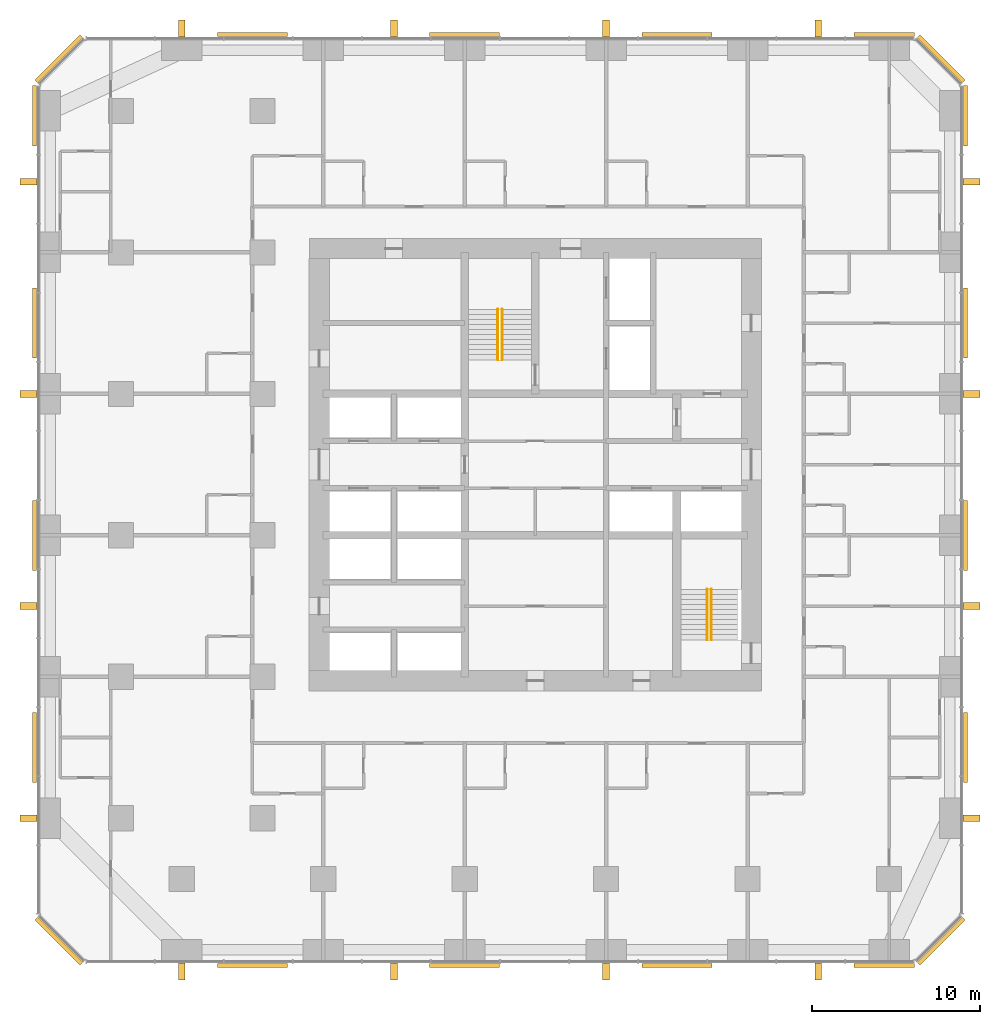
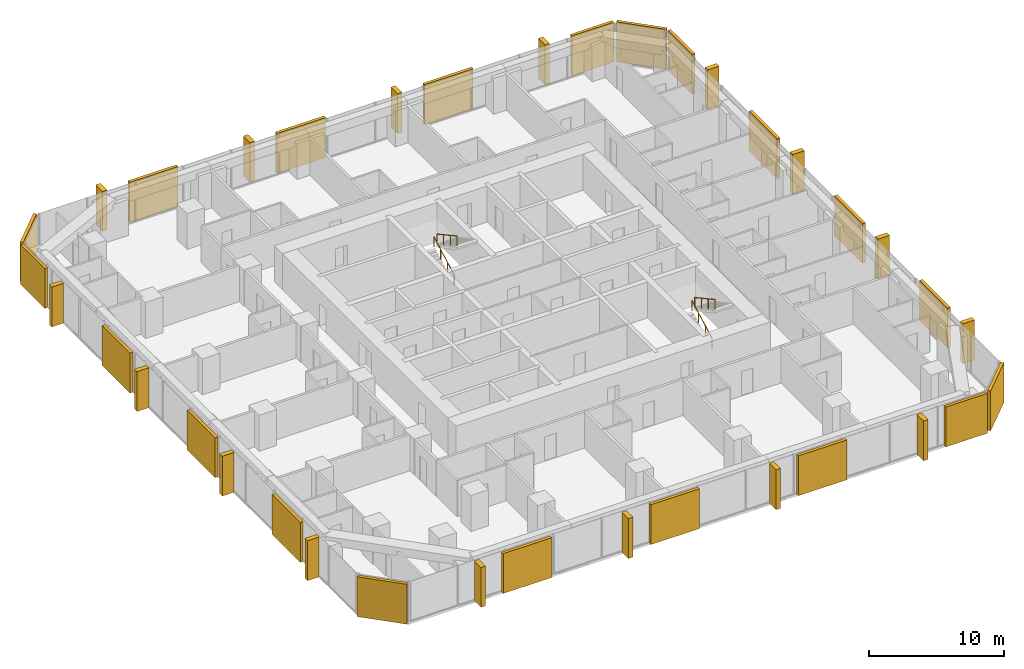
# One storey, part 13 of 13: 20 coverings, 16 shading devices, 4 railings.
"""IFC4 building model written with IfcOpenShell, lengths in metres."""

from ifc_helpers import new_model, si_unit, direction, frame, origin, origin_2d, place, context, subcontext, project, spatial, rectangle, circle, extrude, material, layer, layer_set, type_object, element, save


model = new_model("IFC4")

# Units and contexts
model_context = context("Model", 3, precision=1e-05, world=origin(), true_north=direction((0.0, 1.0)))
body_context = subcontext(model_context, "Body", "Model", "MODEL_VIEW")
ifc_project = project(units=[si_unit("LENGTHUNIT", "METRE"), si_unit("AREAUNIT", "SQUARE_METRE"), si_unit("VOLUMEUNIT", "CUBIC_METRE"), si_unit("PLANEANGLEUNIT", "RADIAN"), si_unit("MASSUNIT", "GRAM", prefix="KILO")], contexts=[model_context])

# Site, building, storey
site_placement = place(None, origin())
site = spatial("IfcSite", under=ifc_project, at=site_placement, CompositionType="ELEMENT")
building_placement = place(site_placement, origin())
building = spatial("IfcBuilding", under=site, at=building_placement, Name="Dunama Terrace Hotel", CompositionType="ELEMENT")
storey_placement = place(building_placement, frame((0.0, 0.0, 111.60009765625)))
storey = spatial("IfcBuildingStorey", under=building, at=storey_placement, Name="L28", CompositionType="ELEMENT", Elevation=111.60009765625)

# Railings
ifc_material_1 = material(Name="Stainless steel handrail", Category="steel")
railing_type = type_object("IfcRailingType", Name="Stair handrail 900", PredefinedType="HANDRAIL", material=ifc_material_1)
railing_1_placement = place(storey_placement, frame((27.175048828125, 35.625, 0.16357421875)))
element("IfcRailing", 1, at=railing_1_placement, inside=storey, type_object=railing_type, Name="Handrail ST1 L28", PredefinedType="HANDRAIL", context=body_context, shape_type="SweptSolid", body=[
    extrude(circle(Radius=0.02392578125, at=origin_2d()), frame((0.0, 0.0, 0.8759765625), z_axis=(0.0, 0.877911954615, 0.47882209634), x_axis=(-1.0, 0.0, 0.0)), (0.0, 0.0, 1.0), 3.417236328125),
    extrude(circle(Radius=0.02099609375, at=origin_2d()), origin(), (0.0, 0.0, 1.0), 0.851806640625),
    extrude(circle(Radius=0.02099609375, at=origin_2d()), frame((0.0, 1.0, 0.54541015625)), (0.0, 0.0, 1.0), 0.851806640625),
    extrude(circle(Radius=0.02099609375, at=origin_2d()), frame((0.0, 2.0, 1.0908203125)), (0.0, 0.0, 1.0), 0.851806640625),
    extrude(circle(Radius=0.02099609375, at=origin_2d()), frame((0.0, 3.0, 1.63623046875)), (0.0, 0.0, 1.0), 0.851806640625),
])
railing_2_placement = place(storey_placement, frame((27.425048828125, 38.625, 1.963623046875)))
element("IfcRailing", 2, at=railing_2_placement, inside=storey, type_object=railing_type, Name="Handrail ST1 L28", PredefinedType="HANDRAIL", context=body_context, shape_type="SweptSolid", body=[
    extrude(circle(Radius=0.02392578125, at=origin_2d()), frame((0.0, 0.0, 0.8759765625), z_axis=(0.0, -0.877911954615, 0.47882209634), x_axis=(1.0, 0.0, 0.0)), (0.0, 0.0, 1.0), 3.417236328125),
    extrude(circle(Radius=0.02099609375, at=origin_2d()), origin(), (0.0, 0.0, 1.0), 0.851806640625),
    extrude(circle(Radius=0.02099609375, at=origin_2d()), frame((0.0, -1.0, 0.54541015625)), (0.0, 0.0, 1.0), 0.851806640625),
    extrude(circle(Radius=0.02099609375, at=origin_2d()), frame((0.0, -2.0, 1.0908203125)), (0.0, 0.0, 1.0), 0.851806640625),
    extrude(circle(Radius=0.02099609375, at=origin_2d()), frame((0.0, -3.0, 1.63623046875)), (0.0, 0.0, 1.0), 0.851806640625),
])
railing_3_placement = place(storey_placement, frame((39.60009765625, 19.0, 0.16357421875)))
element("IfcRailing", 3, at=railing_3_placement, inside=storey, type_object=railing_type, Name="Handrail ST2 L28", PredefinedType="HANDRAIL", context=body_context, shape_type="SweptSolid", body=[
    extrude(circle(Radius=0.02392578125, at=origin_2d()), frame((0.0, 0.0, 0.8759765625), z_axis=(0.0, 0.877911954615, 0.47882209634), x_axis=(-1.0, 0.0, 0.0)), (0.0, 0.0, 1.0), 3.417236328125),
    extrude(circle(Radius=0.02099609375, at=origin_2d()), origin(), (0.0, 0.0, 1.0), 0.851806640625),
    extrude(circle(Radius=0.02099609375, at=origin_2d()), frame((0.0, 1.0, 0.54541015625)), (0.0, 0.0, 1.0), 0.851806640625),
    extrude(circle(Radius=0.02099609375, at=origin_2d()), frame((0.0, 2.0, 1.0908203125)), (0.0, 0.0, 1.0), 0.851806640625),
    extrude(circle(Radius=0.02099609375, at=origin_2d()), frame((0.0, 3.0, 1.63623046875)), (0.0, 0.0, 1.0), 0.851806640625),
])
railing_4_placement = place(storey_placement, frame((39.85009765625, 22.0, 1.963623046875)))
element("IfcRailing", 4, at=railing_4_placement, inside=storey, type_object=railing_type, Name="Handrail ST2 L28", PredefinedType="HANDRAIL", context=body_context, shape_type="SweptSolid", body=[
    extrude(circle(Radius=0.02392578125, at=origin_2d()), frame((0.0, 0.0, 0.8759765625), z_axis=(0.0, -0.877911954615, 0.47882209634), x_axis=(1.0, 0.0, 0.0)), (0.0, 0.0, 1.0), 3.417236328125),
    extrude(circle(Radius=0.02099609375, at=origin_2d()), origin(), (0.0, 0.0, 1.0), 0.851806640625),
    extrude(circle(Radius=0.02099609375, at=origin_2d()), frame((0.0, -1.0, 0.54541015625)), (0.0, 0.0, 1.0), 0.851806640625),
    extrude(circle(Radius=0.02099609375, at=origin_2d()), frame((0.0, -2.0, 1.0908203125)), (0.0, 0.0, 1.0), 0.851806640625),
    extrude(circle(Radius=0.02099609375, at=origin_2d()), frame((0.0, -3.0, 1.63623046875)), (0.0, 0.0, 1.0), 0.851806640625),
])

# Coverings
ifc_material_2 = material(Name="Warm reconstituted stone panel", Category="masonry")
ifc_layer_1 = layer(ifc_material_2, 0.25)
ifc_layer_set_1 = layer_set([ifc_layer_1], Name="Stone diagonal panel")
covering_type = type_object("IfcCoveringType", Name="Stone diagonal panel", PredefinedType="CLADDING", material=ifc_layer_set_1)
for number, where, z_axis, x_axis, name in (
    (5, (12.60009765625, -0.343017578125, 0.001953125), (0.0, 0.0, 1.0), (1.0, 0.0, 0.0), "Stone diagonal panel L28"),
    (6, (25.199951171875, -0.343017578125, 0.001953125), (0.0, 0.0, 1.0), (1.0, 0.0, 0.0), "Stone diagonal panel L28"),
    (7, (37.800048828125, -0.343017578125, 0.001953125), (0.0, 0.0, 1.0), (1.0, 0.0, 0.0), "Stone diagonal panel L28"),
):
    element("IfcCovering", number, at=place(storey_placement, frame(where, z_axis=z_axis, x_axis=x_axis)), inside=storey, type_object=covering_type, Name=name, PredefinedType="CLADDING", context=body_context, shape_type="SweptSolid", body=[
        extrude(rectangle(XDim=4.14990234375, YDim=0.25, at=origin_2d()), origin(), (0.0, 0.0, 1.0), 3.595947265625),
    ])
covering_1_placement = place(storey_placement, frame((50.110107421875, -0.343017578125, 0.001953125), z_axis=(0.0, 0.0, 1.0), x_axis=(1.0, 0.0, 0.0)))
element("IfcCovering", 8, at=covering_1_placement, inside=storey, type_object=covering_type, Name="Stone diagonal panel L28", PredefinedType="CLADDING", context=body_context, shape_type="SweptSolid", body=[
    extrude(rectangle(XDim=3.570068359375, YDim=0.25, at=origin_2d()), origin(), (0.0, 0.0, 1.0), 3.595947265625),
])
covering_2_placement = place(storey_placement, frame((53.492919921875, 1.10693359375, 0.001953125), z_axis=(0.0, 0.0, 1.0), x_axis=(0.707106781187, 0.707106781187, 0.0)))
element("IfcCovering", 9, at=covering_2_placement, inside=storey, type_object=covering_type, Name="Stone diagonal panel L28", PredefinedType="CLADDING", context=body_context, shape_type="SweptSolid", body=[
    extrude(rectangle(XDim=3.808349609375, YDim=0.25, at=origin_2d()), origin(), (0.0, 0.0, 1.0), 3.595947265625),
])
for number, where, z_axis, x_axis, name in (
    (10, (54.943115234375, 12.60009765625, 0.001953125), (0.0, 0.0, 1.0), (0.0, 1.0, 0.0), "Stone diagonal panel L28"),
    (11, (54.943115234375, 25.199951171875, 0.001953125), (0.0, 0.0, 1.0), (0.0, 1.0, 0.0), "Stone diagonal panel L28"),
    (12, (54.943115234375, 37.800048828125, 0.001953125), (0.0, 0.0, 1.0), (0.0, 1.0, 0.0), "Stone diagonal panel L28"),
):
    element("IfcCovering", number, at=place(storey_placement, frame(where, z_axis=z_axis, x_axis=x_axis)), inside=storey, type_object=covering_type, Name=name, PredefinedType="CLADDING", context=body_context, shape_type="SweptSolid", body=[
        extrude(rectangle(XDim=4.14990234375, YDim=0.25, at=origin_2d()), origin(), (0.0, 0.0, 1.0), 3.595947265625),
    ])
covering_3_placement = place(storey_placement, frame((54.943115234375, 50.110107421875, 0.001953125), z_axis=(0.0, 0.0, 1.0), x_axis=(0.0, 1.0, 0.0)))
element("IfcCovering", 13, at=covering_3_placement, inside=storey, type_object=covering_type, Name="Stone diagonal panel L28", PredefinedType="CLADDING", context=body_context, shape_type="SweptSolid", body=[
    extrude(rectangle(XDim=3.570068359375, YDim=0.25, at=origin_2d()), origin(), (0.0, 0.0, 1.0), 3.595947265625),
])
covering_4_placement = place(storey_placement, frame((53.492919921875, 53.492919921875, 0.001953125), z_axis=(0.0, 0.0, 1.0), x_axis=(-0.707106781187, 0.707106781187, 0.0)))
element("IfcCovering", 14, at=covering_4_placement, inside=storey, type_object=covering_type, Name="Stone diagonal panel L28", PredefinedType="CLADDING", context=body_context, shape_type="SweptSolid", body=[
    extrude(rectangle(XDim=3.808349609375, YDim=0.25, at=origin_2d()), origin(), (0.0, 0.0, 1.0), 3.595947265625),
])
covering_5_placement = place(storey_placement, frame((50.110107421875, 54.943115234375, 0.001953125), z_axis=(0.0, 0.0, 1.0), x_axis=(-1.0, 0.0, 0.0)))
element("IfcCovering", 15, at=covering_5_placement, inside=storey, type_object=covering_type, Name="Stone diagonal panel L28", PredefinedType="CLADDING", context=body_context, shape_type="SweptSolid", body=[
    extrude(rectangle(XDim=3.570068359375, YDim=0.25, at=origin_2d()), origin(), (0.0, 0.0, 1.0), 3.595947265625),
])
for number, where, z_axis, x_axis, name in (
    (16, (37.800048828125, 54.943115234375, 0.001953125), (0.0, 0.0, 1.0), (-1.0, 0.0, 0.0), "Stone diagonal panel L28"),
    (17, (25.199951171875, 54.943115234375, 0.001953125), (0.0, 0.0, 1.0), (-1.0, 0.0, 0.0), "Stone diagonal panel L28"),
    (18, (12.60009765625, 54.943115234375, 0.001953125), (0.0, 0.0, 1.0), (-1.0, 0.0, 0.0), "Stone diagonal panel L28"),
):
    element("IfcCovering", number, at=place(storey_placement, frame(where, z_axis=z_axis, x_axis=x_axis)), inside=storey, type_object=covering_type, Name=name, PredefinedType="CLADDING", context=body_context, shape_type="SweptSolid", body=[
        extrude(rectangle(XDim=4.14990234375, YDim=0.25, at=origin_2d()), origin(), (0.0, 0.0, 1.0), 3.595947265625),
    ])
covering_6_placement = place(storey_placement, frame((1.10693359375, 53.492919921875, 0.001953125), z_axis=(0.0, 0.0, 1.0), x_axis=(-0.707106781187, -0.707106781187, 0.0)))
element("IfcCovering", 19, at=covering_6_placement, inside=storey, type_object=covering_type, Name="Stone diagonal panel L28", PredefinedType="CLADDING", context=body_context, shape_type="SweptSolid", body=[
    extrude(rectangle(XDim=3.808349609375, YDim=0.25, at=origin_2d()), origin(), (0.0, 0.0, 1.0), 3.595947265625),
])
covering_7_placement = place(storey_placement, frame((-0.343017578125, 50.110107421875, 0.001953125), z_axis=(0.0, 0.0, 1.0), x_axis=(0.0, -1.0, 0.0)))
element("IfcCovering", 20, at=covering_7_placement, inside=storey, type_object=covering_type, Name="Stone diagonal panel L28", PredefinedType="CLADDING", context=body_context, shape_type="SweptSolid", body=[
    extrude(rectangle(XDim=3.570068359375, YDim=0.25, at=origin_2d()), origin(), (0.0, 0.0, 1.0), 3.595947265625),
])
for number, where, z_axis, x_axis, name in (
    (21, (-0.343017578125, 37.800048828125, 0.001953125), (0.0, 0.0, 1.0), (0.0, -1.0, 0.0), "Stone diagonal panel L28"),
    (22, (-0.343017578125, 25.199951171875, 0.001953125), (0.0, 0.0, 1.0), (0.0, -1.0, 0.0), "Stone diagonal panel L28"),
    (23, (-0.343017578125, 12.60009765625, 0.001953125), (0.0, 0.0, 1.0), (0.0, -1.0, 0.0), "Stone diagonal panel L28"),
):
    element("IfcCovering", number, at=place(storey_placement, frame(where, z_axis=z_axis, x_axis=x_axis)), inside=storey, type_object=covering_type, Name=name, PredefinedType="CLADDING", context=body_context, shape_type="SweptSolid", body=[
        extrude(rectangle(XDim=4.14990234375, YDim=0.25, at=origin_2d()), origin(), (0.0, 0.0, 1.0), 3.595947265625),
    ])
covering_8_placement = place(storey_placement, frame((1.10693359375, 1.10693359375, 0.001953125), z_axis=(0.0, 0.0, 1.0), x_axis=(0.707106781187, -0.707106781187, 0.0)))
element("IfcCovering", 24, at=covering_8_placement, inside=storey, type_object=covering_type, Name="Stone diagonal panel L28", PredefinedType="CLADDING", context=body_context, shape_type="SweptSolid", body=[
    extrude(rectangle(XDim=3.808349609375, YDim=0.25, at=origin_2d()), origin(), (0.0, 0.0, 1.0), 3.595947265625),
])

# Shading devices
ifc_material_3 = material(Name="Warm reconstituted stone fin", Category="masonry")
ifc_layer_2 = layer(ifc_material_3, 0.39990234375)
ifc_layer_set_2 = layer_set([ifc_layer_2], Name="Warm stone fin 400x1000")
shading_device_type = type_object("IfcShadingDeviceType", Name="Warm stone fin 400x1000", PredefinedType="USERDEFINED", material=ifc_layer_set_2)
for number, where, z_axis, x_axis, name in (
    (25, (8.39990234375, -0.697998046875, -0.000244140625), (0.0, 0.0, 1.0), (1.0, 0.0, 0.0), "Stone fin"),
    (26, (21.0, -0.697998046875, -0.000244140625), (0.0, 0.0, 1.0), (1.0, 0.0, 0.0), "Stone fin"),
    (27, (33.60009765625, -0.697998046875, -0.000244140625), (0.0, 0.0, 1.0), (1.0, 0.0, 0.0), "Stone fin"),
    (28, (46.199951171875, -0.697998046875, -0.000244140625), (0.0, 0.0, 1.0), (1.0, 0.0, 0.0), "Stone fin"),
    (29, (55.298095703125, 8.39990234375, -0.000244140625), (0.0, 0.0, 1.0), (0.0, 1.0, 0.0), "Stone fin"),
    (30, (55.298095703125, 21.0, -0.000244140625), (0.0, 0.0, 1.0), (0.0, 1.0, 0.0), "Stone fin"),
    (31, (55.298095703125, 33.60009765625, -0.000244140625), (0.0, 0.0, 1.0), (0.0, 1.0, 0.0), "Stone fin"),
    (32, (55.298095703125, 46.199951171875, -0.000244140625), (0.0, 0.0, 1.0), (0.0, 1.0, 0.0), "Stone fin"),
    (33, (46.199951171875, 55.298095703125, -0.000244140625), (0.0, 0.0, 1.0), (-1.0, 0.0, 0.0), "Stone fin"),
    (34, (33.60009765625, 55.298095703125, -0.000244140625), (0.0, 0.0, 1.0), (-1.0, 0.0, 0.0), "Stone fin"),
    (35, (21.0, 55.298095703125, -0.000244140625), (0.0, 0.0, 1.0), (-1.0, 0.0, 0.0), "Stone fin"),
    (36, (8.39990234375, 55.298095703125, -0.000244140625), (0.0, 0.0, 1.0), (-1.0, 0.0, 0.0), "Stone fin"),
    (37, (-0.697998046875, 46.199951171875, -0.000244140625), (0.0, 0.0, 1.0), (0.0, -1.0, 0.0), "Stone fin"),
    (38, (-0.697998046875, 33.60009765625, -0.000244140625), (0.0, 0.0, 1.0), (0.0, -1.0, 0.0), "Stone fin"),
    (39, (-0.697998046875, 21.0, -0.000244140625), (0.0, 0.0, 1.0), (0.0, -1.0, 0.0), "Stone fin"),
    (40, (-0.697998046875, 8.39990234375, -0.000244140625), (0.0, 0.0, 1.0), (0.0, -1.0, 0.0), "Stone fin"),
):
    element("IfcShadingDevice", number, at=place(storey_placement, frame(where, z_axis=z_axis, x_axis=x_axis)), inside=storey, type_object=shading_device_type, Name=name, ObjectType="FIN", PredefinedType="USERDEFINED", context=body_context, shape_type="SweptSolid", body=[
        extrude(rectangle(XDim=0.39990234375, YDim=1.0, at=origin_2d()), origin(), (0.0, 0.0, 1.0), 3.60009765625),
    ])

save(model, "model.ifc")
